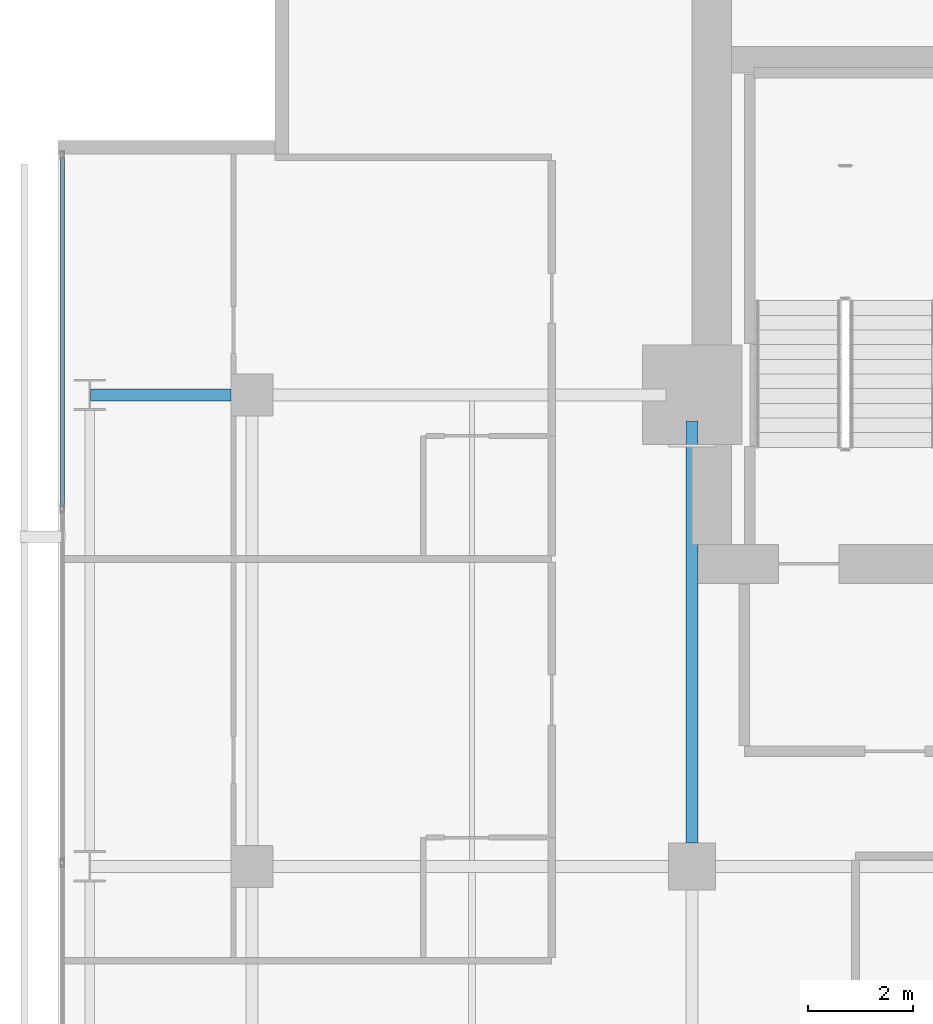
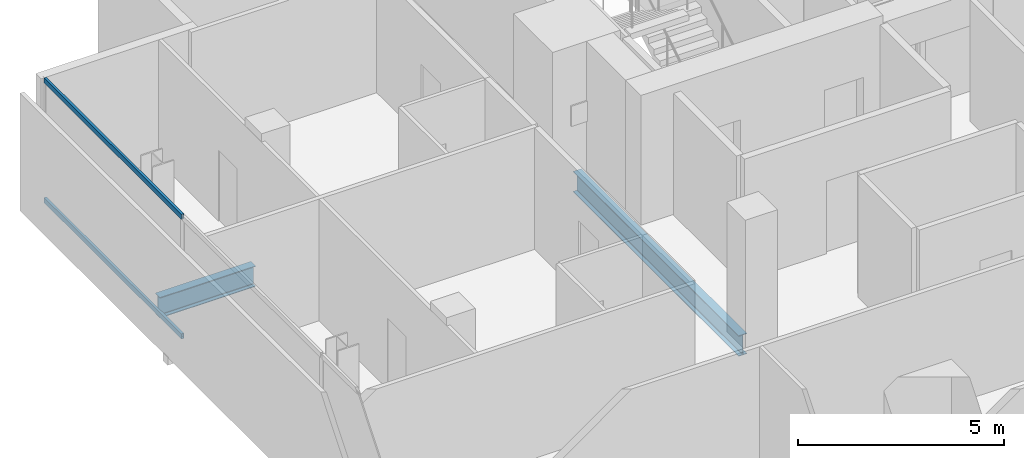
# One storey, part 19 of 34: 2 beams, 2 members, 1 element without a shape of its own.
"""IFC4 building model written with IfcOpenShell, lengths in metres."""

from ifc_helpers import new_model, si_unit, direction, frame, origin, origin_2d, place, context, subcontext, project, spatial, hollow_rectangle, i_section, extrude, material, layer, layer_set, material_profile, profile_set, type_object, element, aggregate, save


model = new_model("IFC4")

# Units and contexts
model_context = context("Model", 3, precision=1e-05, world=origin(), true_north=direction((0.0, 1.0)))
body_context = subcontext(model_context, "Body", "Model", "MODEL_VIEW")
ifc_project = project(units=[si_unit("LENGTHUNIT", "METRE"), si_unit("AREAUNIT", "SQUARE_METRE"), si_unit("VOLUMEUNIT", "CUBIC_METRE"), si_unit("PLANEANGLEUNIT", "RADIAN"), si_unit("MASSUNIT", "GRAM", prefix="KILO")], contexts=[model_context])

# Site, building, storey
site_placement = place(None, origin())
site = spatial("IfcSite", under=ifc_project, at=site_placement, CompositionType="ELEMENT")
building_placement = place(site_placement, origin())
building = spatial("IfcBuilding", under=site, at=building_placement, Name="Maruvema Waterfront Hotel and Observation Tower", CompositionType="ELEMENT")
storey_placement = place(building_placement, frame((0.0, 0.0, 146.64990234375)))
storey = spatial("IfcBuildingStorey", under=building, at=storey_placement, Name="L35", CompositionType="ELEMENT", Elevation=146.64990234375)

# Curtain wall, members
ifc_material_1 = material(Name="Anodised bronze aluminium and solar-control low-E IGU", Category="aluminium")
ifc_layer = layer(ifc_material_1, 0.159912109375, Name="Zone 2 Amber Inner Thermal Curtain Wall System CW-03")
ifc_layer_set = layer_set([ifc_layer], Name="Anodised bronze aluminium and solar-control low-E IGU")
curtain_wall_type = type_object("IfcCurtainWallType", Name="Zone 2 Amber Inner Thermal Curtain Wall System CW-03", PredefinedType="USERDEFINED", material=ifc_layer_set)
curtain_wall_placement = place(storey_placement, origin())
curtain_wall = element("IfcCurtainWall", 1, at=curtain_wall_placement, inside=storey, type_object=curtain_wall_type, Name="L35 Curtain Wall CW-L35-W", ObjectType="UNITISED CURTAIN WALL", PredefinedType="USERDEFINED")
ifc_material_2 = material(Name="Anodised architectural bronze aluminium", Category="aluminium")
ifc_material_profile_1 = material_profile(ifc_material_2, hollow_rectangle(XDim=0.070068359375, YDim=0.14990234375, WallThickness=0.00390625, at=origin_2d()), Name="ALU-T70x150")
ifc_profile_set_1 = profile_set([ifc_material_profile_1], Name="Anodised architectural bronze aluminium")
member_type = type_object("IfcMemberType", Name="Curtain Wall Horizontal Transom ALU-T70x150", PredefinedType="USERDEFINED", material=ifc_profile_set_1)
member_1_placement = place(storey_placement, frame((13.179931640625, 49.5400390625, 0.030029296875), z_axis=(0.0, -1.0, 0.0), x_axis=(1.0, 0.0, 0.0)))
member_1 = element("IfcMember", 2, at=member_1_placement, type_object=member_type, Name="CW-03 transom 1.1", ObjectType="TRANSOM", PredefinedType="USERDEFINED", context=body_context, shape_type="SweptSolid", body=[
    extrude(hollow_rectangle(XDim=0.070068359375, YDim=0.14990234375, WallThickness=0.00390625, at=origin_2d()), origin(), (0.0, 0.0, 1.0), 6.6767578125),
])
member_2_placement = place(storey_placement, frame((13.179931640625, 49.5400390625, 3.580078125), z_axis=(0.0, -1.0, 0.0), x_axis=(1.0, 0.0, 0.0)))
member_2 = element("IfcMember", 3, at=member_2_placement, type_object=member_type, Name="CW-03 transom 1.2", ObjectType="TRANSOM", PredefinedType="USERDEFINED", context=body_context, shape_type="SweptSolid", body=[
    extrude(hollow_rectangle(XDim=0.070068359375, YDim=0.14990234375, WallThickness=0.00390625, at=origin_2d()), origin(), (0.0, 0.0, 1.0), 6.6767578125),
])
aggregate(curtain_wall, [member_1, member_2])

# Beams
ifc_material_3 = material(Name="Steel ASTM A572 Grade 50", Category="steel")
ifc_material_profile_2 = material_profile(ifc_material_3, i_section(OverallWidth=0.22900390625, OverallDepth=0.612060546875, WebThickness=0.011962890625, FlangeThickness=0.01953125, FilletRadius=0.01806640625, at=origin_2d()), Name="W610x125.0")
ifc_profile_set_2 = profile_set([ifc_material_profile_2], Name="Steel ASTM A572 Grade 50")
beam_type = type_object("IfcBeamType", Name="Primary Floor Girder W610x125.0", PredefinedType="BEAM", material=ifc_profile_set_2)
beam_1_placement = place(storey_placement, frame((13.71240234375, 45.0, -0.5458984375), z_axis=(1.0, 0.0, 0.0), x_axis=(0.0, 1.0, 0.0)))
element("IfcBeam", 4, at=beam_1_placement, inside=storey, type_object=beam_type, Name="L35 Floor Girder EW-30", PredefinedType="BEAM", context=body_context, shape_type="SweptSolid", body=[
    extrude(i_section(OverallWidth=0.22900390625, OverallDepth=0.612060546875, WebThickness=0.011962890625, FlangeThickness=0.01953125, FilletRadius=0.01806640625, at=origin_2d()), origin(), (0.0, 0.0, 1.0), 2.6875),
])
beam_2_placement = place(storey_placement, frame((25.199951171875, 36.449951171875, -0.5458984375), z_axis=(0.0, 1.0, 0.0), x_axis=(-1.0, 0.0, 0.0)))
element("IfcBeam", 5, at=beam_2_placement, inside=storey, type_object=beam_type, Name="L35 Floor Girder NS-13", PredefinedType="BEAM", context=body_context, shape_type="SweptSolid", body=[
    extrude(i_section(OverallWidth=0.22900390625, OverallDepth=0.612060546875, WebThickness=0.011962890625, FlangeThickness=0.01953125, FilletRadius=0.01806640625, at=origin_2d()), origin(), (0.0, 0.0, 1.0), 8.050048828125),
])

save(model, "model.ifc")
